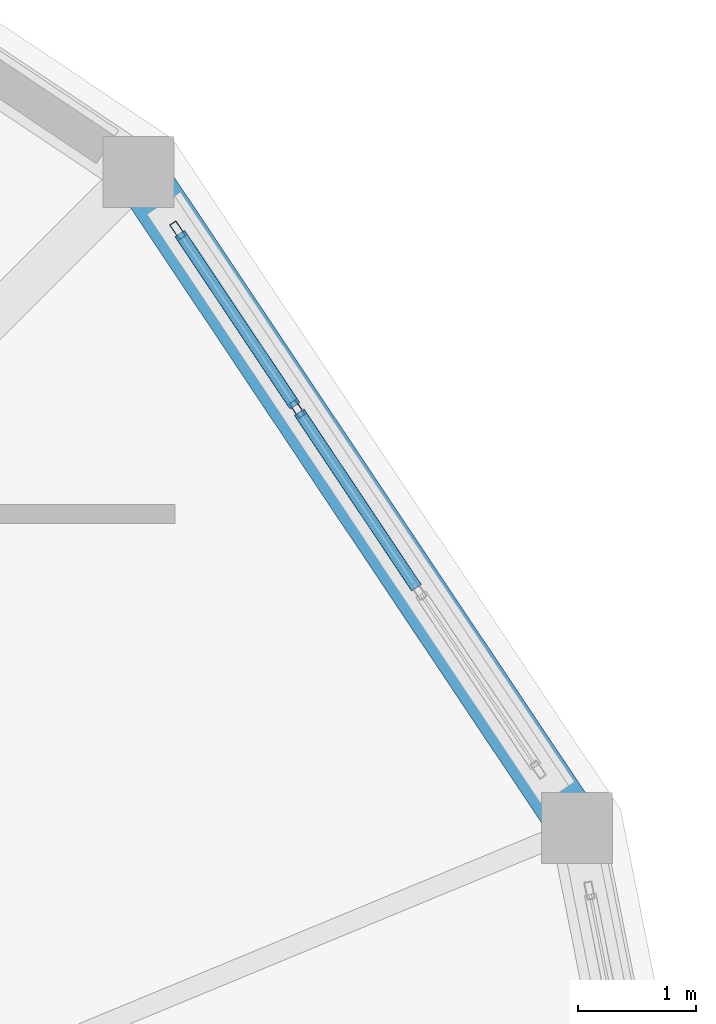
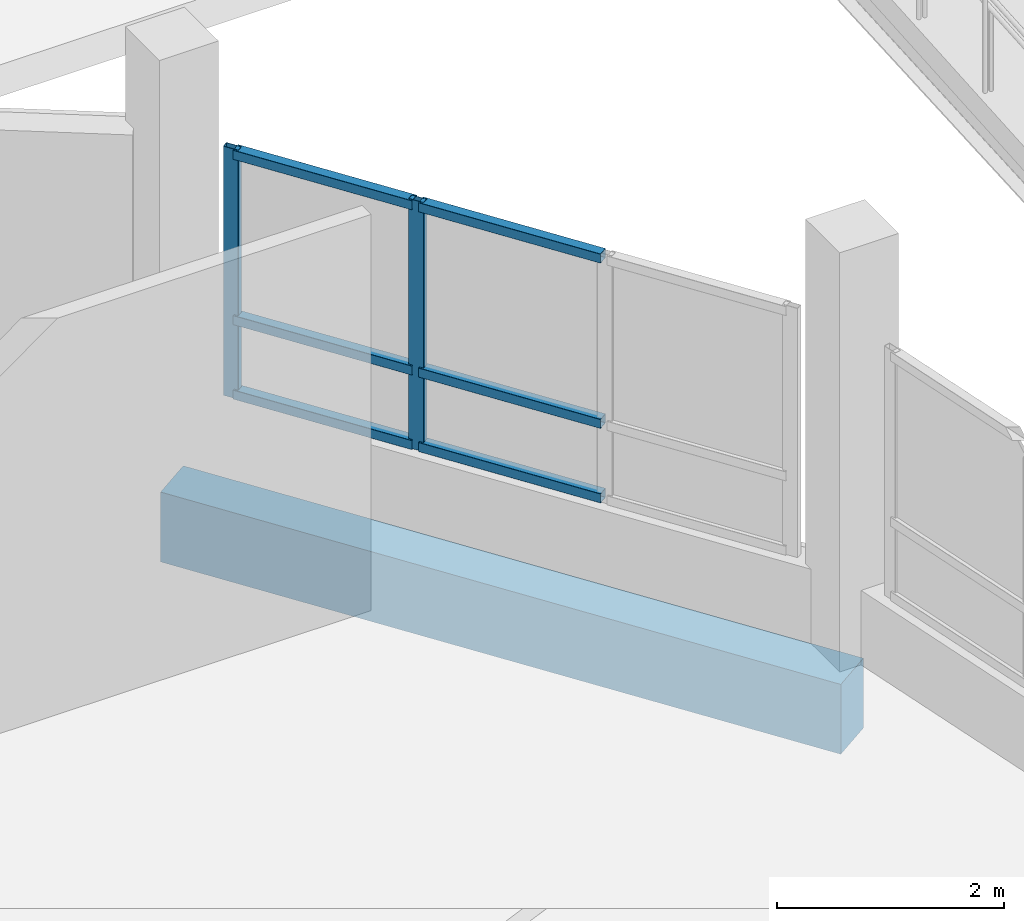
# One storey, part 85 of 129: 8 members, 1 beam, 1 element without a shape of its own.
"""IFC4 building model written with IfcOpenShell, lengths in metres."""

import ifcopenshell
import ifcopenshell.guid

model = None  # the IFC model being written
_history = None  # IfcOwnerHistory: only IFC2X3 demands one
_inside = {}  # id of a spatial element -> (the spatial element, [elements in it])
_under = {}  # id of a project, library or spatial element -> (it, [spatial elements below it])
_declared = {}  # id of a project -> (the project, [libraries it declares])
_typed = {}  # id of a type object -> (the type object, [elements of that type])
_made_of = {}  # id of a material, layer set ... -> (it, [elements and type objects made of it])


def new_model(schema):
    """Start an empty IFC model of exactly this schema.

    Asked for "IFC4X3", IfcOpenShell would pick the latest addendum, in which some entities
    have other attributes; the version numbers below select the first issue.
    IFC2X3 requires an IfcOwnerHistory on every rooted entity: one is made here for all.
    """
    global model, _history
    if schema == "IFC4X3":
        model = ifcopenshell.file(schema_version=(4, 3, 0, 0))
    else:
        model = ifcopenshell.file(schema=schema)
    _inside.clear()
    _under.clear()
    _declared.clear()
    _typed.clear()
    _made_of.clear()
    _history = None
    if model.schema == "IFC2X3":
        org = make("IfcOrganization", Name="unknown")
        user = make(
            "IfcPersonAndOrganization",
            ThePerson=make("IfcPerson", FamilyName="unknown"),
            TheOrganization=org,
        )
        app = make(
            "IfcApplication",
            ApplicationDeveloper=org,
            Version="unknown",
            ApplicationFullName="unknown",
            ApplicationIdentifier="unknown",
        )
        _history = make(
            "IfcOwnerHistory",
            OwningUser=user,
            OwningApplication=app,
            ChangeAction="ADDED",
            CreationDate=0,
        )
    return model


def make(cls, **values):
    """One entity of the class cls with the attributes given. An attribute that is None is left unset."""
    return model.create_entity(
        cls, **{name: value for name, value in values.items() if value is not None}
    )


def rooted(cls, **values):
    """An entity with a GlobalId (a new one), such as an element, a storey or a relation."""
    return make(cls, GlobalId=ifcopenshell.guid.new(), OwnerHistory=_history, **values)


def si_unit(unit_type, name, prefix=None):
    """IfcSIUnit, for example si_unit("LENGTHUNIT", "METRE", prefix="MILLI")."""
    return make("IfcSIUnit", UnitType=unit_type, Prefix=prefix, Name=name)


def assignment(units):
    """IfcUnitAssignment: the units of a project."""
    return None if units is None else make("IfcUnitAssignment", Units=units)


def point(xyz):
    """IfcCartesianPoint."""
    return None if xyz is None else make("IfcCartesianPoint", Coordinates=xyz)


def direction(xyz):
    """IfcDirection."""
    return None if xyz is None else make("IfcDirection", DirectionRatios=xyz)


def frame(location, z_axis=None, x_axis=None):
    """IfcAxis2Placement3D, a coordinate frame: its origin and axes. An axis left out is left unset."""
    return make(
        "IfcAxis2Placement3D",
        Location=point(location),
        Axis=direction(z_axis),
        RefDirection=direction(x_axis),
    )


def frame_2d(location, x_axis=None):
    """IfcAxis2Placement2D, a coordinate frame in the plane: its origin and x axis."""
    return make(
        "IfcAxis2Placement2D", Location=point(location), RefDirection=direction(x_axis)
    )


def origin():
    """The frame at (0, 0, 0) with its axes left unset."""
    return frame((0.0, 0.0, 0.0))


def origin_2d():
    """The frame at (0, 0) in the plane with its x axis left unset."""
    return frame_2d((0.0, 0.0))


def place(relative_to, where):
    """IfcLocalPlacement: puts the frame where relative to a parent placement (None: the world)."""
    return make(
        "IfcLocalPlacement", PlacementRelTo=relative_to, RelativePlacement=where
    )


def context(
    kind, dimensions, precision=None, world=None, true_north=None, identifier=None
):
    """IfcGeometricRepresentationContext, for example the 3D "Model" context."""
    return make(
        "IfcGeometricRepresentationContext",
        ContextIdentifier=identifier,
        ContextType=kind,
        CoordinateSpaceDimension=dimensions,
        Precision=precision,
        WorldCoordinateSystem=world,
        TrueNorth=true_north,
    )


def subcontext(parent, identifier, kind, view, scale=None):
    """IfcGeometricRepresentationSubContext, for example "Body" below "Model"."""
    return make(
        "IfcGeometricRepresentationSubContext",
        ContextIdentifier=identifier,
        ContextType=kind,
        ParentContext=parent,
        TargetScale=scale,
        TargetView=view,
    )


def project(units=None, contexts=None):
    """IfcProject with its units and contexts."""
    return rooted(
        "IfcProject",
        Name="project",
        RepresentationContexts=contexts,
        UnitsInContext=assignment(units),
    )


def spatial(cls, under=None, at=None, **own):
    """A site, building, storey or space (cls), placed at a placement, below another one or the project."""
    s = rooted(cls, ObjectPlacement=at, **own)
    if under is not None:
        _under.setdefault(under.id(), (under, []))[1].append(s)
    return s


def profile(cls, at=None, kind="AREA", **sizes):
    """A parametric profile (cls). Its sizes go by their IFC names, for example OverallWidth=200.0."""
    return make(cls, ProfileType=kind, Position=at, **sizes)


def rectangle(**sizes):
    """IfcRectangleProfileDef."""
    return profile("IfcRectangleProfileDef", **sizes)


def hollow_rectangle(**sizes):
    """IfcRectangleHollowProfileDef."""
    return profile("IfcRectangleHollowProfileDef", **sizes)


def extrude(swept, where, along, depth):
    """IfcExtrudedAreaSolid: the profile swept, set in the frame where, extruded along a direction by depth."""
    return make(
        "IfcExtrudedAreaSolid",
        SweptArea=swept,
        Position=where,
        ExtrudedDirection=direction(along),
        Depth=depth,
    )


def shape(context_of_items, identifier, shape_type, items):
    """IfcShapeRepresentation: the items that make up one representation, for example the "Body"."""
    return make(
        "IfcShapeRepresentation",
        ContextOfItems=context_of_items,
        RepresentationIdentifier=identifier,
        RepresentationType=shape_type,
        Items=items,
    )


def material(Name=None, Category=None):
    """IfcMaterial."""
    return make("IfcMaterial", Name=Name, Category=Category)


def layer(
    of_material, thickness, ventilated=None, Name=None, Category=None, Priority=None
):
    """IfcMaterialLayer: one layer of a wall or slab, of a material (None: an air gap)."""
    return make(
        "IfcMaterialLayer",
        Material=of_material,
        LayerThickness=thickness,
        IsVentilated=ventilated,
        Name=Name,
        Category=Category,
        Priority=Priority,
    )


def layer_set(layers, Name=None):
    """IfcMaterialLayerSet."""
    return make("IfcMaterialLayerSet", MaterialLayers=layers, LayerSetName=Name)


def material_profile(
    of_material, cross_section, Name=None, Category=None, Priority=None
):
    """IfcMaterialProfile: a cross section and its material."""
    return make(
        "IfcMaterialProfile",
        Name=Name,
        Material=of_material,
        Profile=cross_section,
        Priority=Priority,
        Category=Category,
    )


def profile_set(profiles, Name=None, composite=None):
    """IfcMaterialProfileSet."""
    return make(
        "IfcMaterialProfileSet",
        Name=Name,
        MaterialProfiles=profiles,
        CompositeProfile=composite,
    )


def made_of(thing, what):
    """Note that an element or type object is made of a material, layer set ...; save() writes the relation."""
    if what is not None:
        _made_of.setdefault(what.id(), (what, []))[1].append(thing)
    return thing


def type_object(cls, material=None, **own):
    """A type object (cls), such as IfcWallType, which elements share."""
    return made_of(rooted(cls, **own), material)


def element(
    cls,
    number,
    at=None,
    inside=None,
    cuts=None,
    type_object=None,
    material=None,
    context=None,
    identifier="Body",
    shape_type=None,
    held_by="IfcProductDefinitionShape",
    body=None,
    shapes=None,
    **own,
):
    """One element of the class cls, such as IfcWall. Its Tag is "e" and its number.

    at: its placement. inside: the storey or other place that contains it. cuts: it is an
    opening in that element (IfcRelVoidsElement). A single representation is given by context,
    identifier, shape_type and body (its items); several are given by shapes. held_by: the class
    of the entity that holds the representations. save() writes the other relations.
    """
    e = rooted(cls, Tag="e%d" % number, ObjectPlacement=at, **own)
    if body is not None:
        shapes = [shape(context, identifier, shape_type, body)]
    if shapes is not None:
        e.Representation = make(held_by, Representations=shapes)
    if inside is not None:
        _inside.setdefault(inside.id(), (inside, []))[1].append(e)
    if cuts is not None:
        rooted(
            "IfcRelVoidsElement", RelatingBuildingElement=cuts, RelatedOpeningElement=e
        )
    if type_object is not None:
        _typed.setdefault(type_object.id(), (type_object, []))[1].append(e)
    return made_of(e, material)


def aggregate(whole, parts):
    """IfcRelAggregates: a whole, such as a stair, and the parts it consists of."""
    return rooted("IfcRelAggregates", RelatingObject=whole, RelatedObjects=parts)


def save(model, path):
    """Write the relations noted so far, then the file.

    IfcRelAggregates (storeys below a building ...), IfcRelContainedInSpatialStructure (elements
    in a storey), IfcRelDefinesByType, IfcRelAssociatesMaterial and IfcRelDeclares: one each for
    every whole, place, type object, material and project.
    """
    for whole, parts in _under.values():
        aggregate(whole, parts)
    for where, things in _inside.values():
        rooted(
            "IfcRelContainedInSpatialStructure",
            RelatedElements=things,
            RelatingStructure=where,
        )
    for kind, things in _typed.values():
        rooted("IfcRelDefinesByType", RelatedObjects=things, RelatingType=kind)
    for what, things in _made_of.values():
        rooted("IfcRelAssociatesMaterial", RelatedObjects=things, RelatingMaterial=what)
    for by, libraries in _declared.values():
        rooted("IfcRelDeclares", RelatingContext=by, RelatedDefinitions=libraries)
    model.write(path)


model = new_model("IFC4")

# Units and contexts
model_context = context("Model", 3, precision=1e-05, world=origin(), true_north=direction((0.0, 1.0)))
body_context = subcontext(model_context, "Body", "Model", "MODEL_VIEW")
ifc_project = project(units=[si_unit("LENGTHUNIT", "METRE"), si_unit("AREAUNIT", "SQUARE_METRE"), si_unit("VOLUMEUNIT", "CUBIC_METRE"), si_unit("PLANEANGLEUNIT", "RADIAN"), si_unit("MASSUNIT", "GRAM", prefix="KILO")], contexts=[model_context])

# Site, building, storey
site_placement = place(None, origin())
site = spatial("IfcSite", under=ifc_project, at=site_placement, CompositionType="ELEMENT")
building_placement = place(site_placement, origin())
building = spatial("IfcBuilding", under=site, at=building_placement, Name="Vespera Passage Community Centre", CompositionType="ELEMENT")
storey_placement = place(building_placement, origin())
storey = spatial("IfcBuildingStorey", under=building, at=storey_placement, Name="L00", CompositionType="ELEMENT", Elevation=0.0)

# Beam
ifc_material_1 = material(Name="Concrete f'c 35 MPa", Category="concrete")
ifc_material_profile_1 = material_profile(ifc_material_1, rectangle(XDim=0.449951171875, YDim=0.75, at=origin_2d()), Name="RC450X750")
ifc_profile_set_1 = profile_set([ifc_material_profile_1], Name="Concrete f'c 35 MPa")
beam_type = type_object("IfcBeamType", Name="BM-SP-450X750E", PredefinedType="SPANDREL", material=ifc_profile_set_1)
beam_placement = place(storey_placement, frame((156.79833984375, 31.5439453125, -0.655029296875), z_axis=(-0.55556964639, 0.831470004276, 0.0), x_axis=(-0.831470004276, -0.55556964639, 0.0)))
element("IfcBeam", 1, at=beam_placement, inside=storey, type_object=beam_type, Name="V3 L00 Spandrel 2", PredefinedType="SPANDREL", context=body_context, shape_type="SweptSolid", body=[
    extrude(rectangle(XDim=0.449951171875, YDim=0.75, at=origin_2d()), origin(), (0.0, 0.0, 1.0), 6.672119140625),
])

# Curtain wall, members
ifc_material_2 = material(Name="Anodized aluminium 6063-T6", Category="aluminium")
ifc_layer = layer(ifc_material_2, 0.159912109375)
ifc_layer_set = layer_set([ifc_layer], Name="Anodized aluminium 6063-T6")
curtain_wall_type = type_object("IfcCurtainWallType", Name="CW-102E", PredefinedType="NOTDEFINED", material=ifc_layer_set)
curtain_wall_placement = place(storey_placement, origin())
curtain_wall = element("IfcCurtainWall", 2, at=curtain_wall_placement, inside=storey, type_object=curtain_wall_type, Name="Dining Drum Ribbon Curtain Wall L00.2", PredefinedType="NOTDEFINED")
ifc_material_3 = material(Name="Anodized aluminium 6063-T6", Category="aluminium")
ifc_material_profile_2 = material_profile(ifc_material_3, hollow_rectangle(XDim=0.06494140625, YDim=0.14990234375, WallThickness=0.00390625, InnerFilletRadius=0.001953125, OuterFilletRadius=0.00390625, at=origin_2d()), Name="ALU150X65X4")
ifc_profile_set_2 = profile_set([ifc_material_profile_2], Name="Anodized aluminium 6063-T6")
member_type_1 = type_object("IfcMemberType", Name="MB-CWM-150E", PredefinedType="MULLION", material=ifc_profile_set_2)
member_1_placement = place(storey_placement, frame((153.421142578125, 36.59814453125, 0.800048828125), z_axis=(0.0, 0.0, 1.0), x_axis=(0.831473308708, 0.555564700918, 0.0)))
member_1 = element("IfcMember", 3, at=member_1_placement, type_object=member_type_1, Name="CW-102E mullion 1", PredefinedType="MULLION", context=body_context, shape_type="SweptSolid", body=[
    extrude(hollow_rectangle(XDim=0.06494140625, YDim=0.14990234375, WallThickness=0.00390625, InnerFilletRadius=0.001953125, OuterFilletRadius=0.00390625, at=origin_2d()), origin(), (0.0, 0.0, 1.0), 2.675048828125),
])
member_2_placement = place(storey_placement, frame((154.430908203125, 35.0869140625, 0.800048828125), z_axis=(0.0, 0.0, 1.0), x_axis=(0.831473308708, 0.555564700918, 0.0)))
member_2 = element("IfcMember", 4, at=member_2_placement, type_object=member_type_1, Name="CW-102E mullion 2", PredefinedType="MULLION", context=body_context, shape_type="SweptSolid", body=[
    extrude(hollow_rectangle(XDim=0.06494140625, YDim=0.14990234375, WallThickness=0.00390625, InnerFilletRadius=0.001953125, OuterFilletRadius=0.00390625, at=origin_2d()), origin(), (0.0, 0.0, 1.0), 2.675048828125),
])
ifc_material_4 = material(Name="Anodized aluminium 6063-T6", Category="aluminium")
ifc_material_profile_3 = material_profile(ifc_material_4, hollow_rectangle(XDim=0.10009765625, YDim=0.10009765625, WallThickness=0.00390625, InnerFilletRadius=0.001953125, OuterFilletRadius=0.00390625, at=origin_2d()), Name="ALU100X100X4")
ifc_profile_set_3 = profile_set([ifc_material_profile_3], Name="Anodized aluminium 6063-T6")
member_type_2 = type_object("IfcMemberType", Name="MB-CWT-100E", PredefinedType="USERDEFINED", material=ifc_profile_set_3)
member_3_placement = place(storey_placement, frame((153.439208984375, 36.571044921875, 0.85009765625), z_axis=(0.555535727386, -0.831492667194, 0.0), x_axis=(0.831492667194, 0.555535727386, 0.0)))
member_3 = element("IfcMember", 5, at=member_3_placement, type_object=member_type_2, Name="CW-102E transom 1.1", ObjectType="TRANSOM", PredefinedType="USERDEFINED", context=body_context, shape_type="SweptSolid", body=[
    extrude(hollow_rectangle(XDim=0.10009765625, YDim=0.10009765625, WallThickness=0.00390625, InnerFilletRadius=0.001953125, OuterFilletRadius=0.00390625, at=origin_2d()), origin(), (0.0, 0.0, 1.0), 1.752685546875),
])
member_4_placement = place(storey_placement, frame((153.439208984375, 36.571044921875, 1.64990234375), z_axis=(0.555535727386, -0.831492667194, 0.0), x_axis=(0.831492667194, 0.555535727386, 0.0)))
member_4 = element("IfcMember", 6, at=member_4_placement, type_object=member_type_2, Name="CW-102E transom 1.2", ObjectType="TRANSOM", PredefinedType="USERDEFINED", context=body_context, shape_type="SweptSolid", body=[
    extrude(hollow_rectangle(XDim=0.10009765625, YDim=0.10009765625, WallThickness=0.00390625, InnerFilletRadius=0.001953125, OuterFilletRadius=0.00390625, at=origin_2d()), origin(), (0.0, 0.0, 1.0), 1.752685546875),
])
member_5_placement = place(storey_placement, frame((153.439208984375, 36.571044921875, 3.425048828125), z_axis=(0.555535727386, -0.831492667194, 0.0), x_axis=(0.831492667194, 0.555535727386, 0.0)))
member_5 = element("IfcMember", 7, at=member_5_placement, type_object=member_type_2, Name="CW-102E transom 1.3", ObjectType="TRANSOM", PredefinedType="USERDEFINED", context=body_context, shape_type="SweptSolid", body=[
    extrude(hollow_rectangle(XDim=0.10009765625, YDim=0.10009765625, WallThickness=0.00390625, InnerFilletRadius=0.001953125, OuterFilletRadius=0.00390625, at=origin_2d()), origin(), (0.0, 0.0, 1.0), 1.752685546875),
])
member_6_placement = place(storey_placement, frame((154.448974609375, 35.059814453125, 0.85009765625), z_axis=(0.555520488502, -0.831502848374, 0.0), x_axis=(0.831502848374, 0.555520488502, 0.0)))
member_6 = element("IfcMember", 8, at=member_6_placement, type_object=member_type_2, Name="CW-102E transom 2.1", ObjectType="TRANSOM", PredefinedType="USERDEFINED", context=body_context, shape_type="SweptSolid", body=[
    extrude(hollow_rectangle(XDim=0.10009765625, YDim=0.10009765625, WallThickness=0.00390625, InnerFilletRadius=0.001953125, OuterFilletRadius=0.00390625, at=origin_2d()), origin(), (0.0, 0.0, 1.0), 1.78515625),
])
member_7_placement = place(storey_placement, frame((154.448974609375, 35.059814453125, 1.64990234375), z_axis=(0.555520488502, -0.831502848374, 0.0), x_axis=(0.831502848374, 0.555520488502, 0.0)))
member_7 = element("IfcMember", 9, at=member_7_placement, type_object=member_type_2, Name="CW-102E transom 2.2", ObjectType="TRANSOM", PredefinedType="USERDEFINED", context=body_context, shape_type="SweptSolid", body=[
    extrude(hollow_rectangle(XDim=0.10009765625, YDim=0.10009765625, WallThickness=0.00390625, InnerFilletRadius=0.001953125, OuterFilletRadius=0.00390625, at=origin_2d()), origin(), (0.0, 0.0, 1.0), 1.78515625),
])
member_8_placement = place(storey_placement, frame((154.448974609375, 35.059814453125, 3.425048828125), z_axis=(0.555520488502, -0.831502848374, 0.0), x_axis=(0.831502848374, 0.555520488502, 0.0)))
member_8 = element("IfcMember", 10, at=member_8_placement, type_object=member_type_2, Name="CW-102E transom 2.3", ObjectType="TRANSOM", PredefinedType="USERDEFINED", context=body_context, shape_type="SweptSolid", body=[
    extrude(hollow_rectangle(XDim=0.10009765625, YDim=0.10009765625, WallThickness=0.00390625, InnerFilletRadius=0.001953125, OuterFilletRadius=0.00390625, at=origin_2d()), origin(), (0.0, 0.0, 1.0), 1.78515625),
])
aggregate(curtain_wall, [member_1, member_2, member_3, member_4, member_5, member_6, member_7, member_8])

save(model, "model.ifc")
